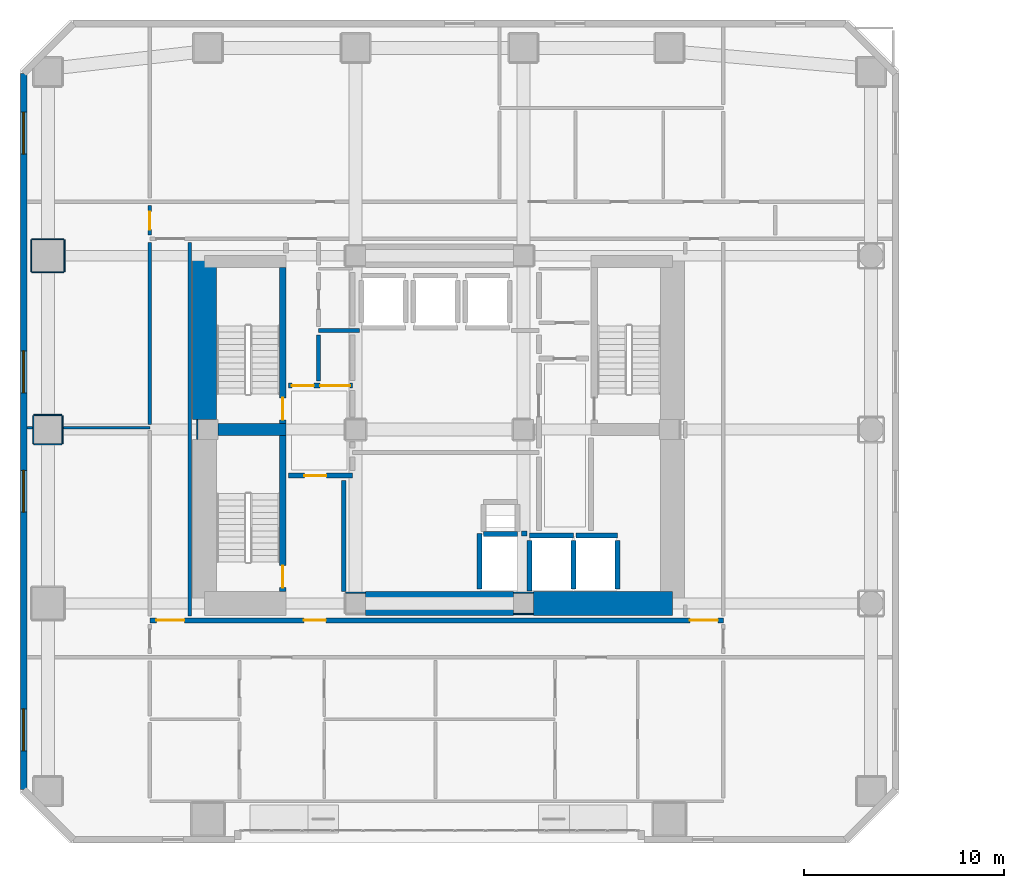
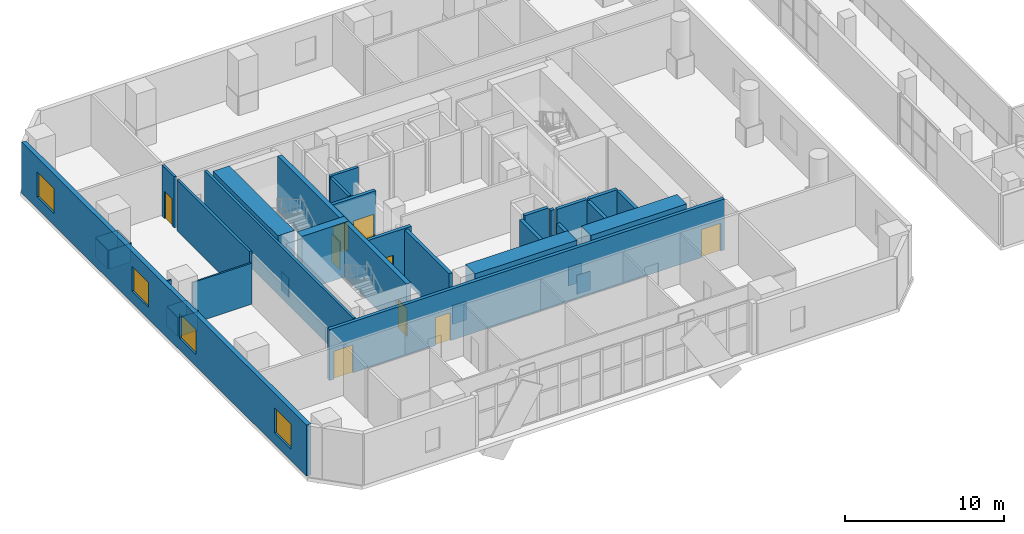
# One storey, part 12 of 20: 38 walls, 9 doors, 4 windows, 13 openings.
"""IFC4 building model written with IfcOpenShell, lengths in metres."""

from ifc_helpers import new_model, si_unit, direction, frame, frame_2d, origin, place, context, subcontext, project, spatial, rectangle, extrude, material, layer, layer_set, type_object, element, fill, save


model = new_model("IFC4")

# Units and contexts
model_context = context("Model", 3, precision=1e-05, world=origin(), true_north=direction((0.0, 1.0)))
body_context = subcontext(model_context, "Body", "Model", "MODEL_VIEW")
ifc_project = project(units=[si_unit("LENGTHUNIT", "METRE"), si_unit("AREAUNIT", "SQUARE_METRE"), si_unit("VOLUMEUNIT", "CUBIC_METRE"), si_unit("PLANEANGLEUNIT", "RADIAN"), si_unit("MASSUNIT", "GRAM", prefix="KILO")], contexts=[model_context])

# Site, building, storey
site_placement = place(None, origin())
site = spatial("IfcSite", under=ifc_project, at=site_placement, CompositionType="ELEMENT")
building_placement = place(site_placement, origin())
building = spatial("IfcBuilding", under=site, at=building_placement, Name="Solanera Arch Residences", CompositionType="ELEMENT")
storey_placement = place(building_placement, frame((0.0, 0.0, 9.39990234375)))
storey = spatial("IfcBuildingStorey", under=building, at=storey_placement, Name="L02", CompositionType="ELEMENT", Elevation=9.39990234375)

# Walls
ifc_material_1 = material(Name="Fire-Rated Gypsum Stud Partition", Category="gypsum")
ifc_layer_1 = layer(ifc_material_1, 0.06005859375)
ifc_layer_set_1 = layer_set([ifc_layer_1], Name="Fire-Rated Gypsum Stud Partition")
wall_type_1 = type_object("IfcWallType", Name="Column Acoustic Furring Wall 60", PredefinedType="PARTITIONING", material=ifc_layer_set_1)
wall_1_placement = place(storey_placement, frame((20.300048828125, 22.531982421875, 0.0), z_axis=(0.0, 0.0, 1.0), x_axis=(1.0, 0.0, 0.0)))
element("IfcWall", 1, at=wall_1_placement, inside=storey, type_object=wall_type_1, Name="L02 Column Furring 1N", PredefinedType="PARTITIONING", context=body_context, shape_type="SweptSolid", body=[
    extrude(rectangle(XDim=0.989990234375, YDim=0.06005859375, at=frame_2d((0.4951171875, 0.0))), origin(), (0.0, 0.0, 1.0), 1.4501953125),
])
for number, where, z_axis, x_axis, name in (
    (2, (28.7099609375, 21.468017578125, 0.0), (0.0, 0.0, 1.0), (1.0, 0.0, 0.0), "L02 Column Furring 2S"),
    (3, (28.7099609375, 22.531982421875, 0.0), (0.0, 0.0, 1.0), (1.0, 0.0, 0.0), "L02 Column Furring 2N"),
    (4, (12.867919921875, 30.2099609375, 0.0), (0.0, 0.0, 1.0), (0.0, 1.0, 0.0), "L02 Column Furring 5W"),
):
    element("IfcWall", number, at=place(storey_placement, frame(where, z_axis=z_axis, x_axis=x_axis)), inside=storey, type_object=wall_type_1, Name=name, PredefinedType="PARTITIONING", context=body_context, shape_type="SweptSolid", body=[
        extrude(rectangle(XDim=0.97998046875, YDim=0.06005859375, at=frame_2d((0.489990234375, 0.0))), origin(), (0.0, 0.0, 1.0), 1.4501953125),
    ])
for number, where, z_axis, x_axis, name in (
    (5, (4.699951171875, 29.968017578125, 0.0), (0.0, 0.0, 1.0), (1.0, 0.0, 0.0), "L02 Column Furring 16S"),
    (6, (4.699951171875, 31.431884765625, 0.0), (0.0, 0.0, 1.0), (1.0, 0.0, 0.0), "L02 Column Furring 16N"),
):
    element("IfcWall", number, at=place(storey_placement, frame(where, z_axis=z_axis, x_axis=x_axis)), inside=storey, type_object=wall_type_1, Name=name, PredefinedType="PARTITIONING", context=body_context, shape_type="SweptSolid", body=[
        extrude(rectangle(XDim=1.400146484375, YDim=0.06005859375, at=frame_2d((0.7001953125, 0.0))), origin(), (0.0, 0.0, 1.0), 1.4501953125),
    ])
for number, where, z_axis, x_axis, name in (
    (7, (4.66796875, 30.0, 0.0), (0.0, 0.0, 1.0), (0.0, 1.0, 0.0), "L02 Column Furring 16W"),
    (8, (6.132080078125, 30.0, 0.0), (0.0, 0.0, 1.0), (0.0, 1.0, 0.0), "L02 Column Furring 16E"),
):
    element("IfcWall", number, at=place(storey_placement, frame(where, z_axis=z_axis, x_axis=x_axis)), inside=storey, type_object=wall_type_1, Name=name, PredefinedType="PARTITIONING", context=body_context, shape_type="SweptSolid", body=[
        extrude(rectangle(XDim=1.39990234375, YDim=0.06005859375, at=frame_2d((0.699951171875, 0.0))), origin(), (0.0, 0.0, 1.0), 1.4501953125),
    ])
for number, where, z_axis, x_axis, name in (
    (9, (4.60009765625, 38.568115234375, 0.0), (0.0, 0.0, 1.0), (1.0, 0.0, 0.0), "L02 Column Furring 17S"),
    (10, (4.60009765625, 40.23193359375, 0.0), (0.0, 0.0, 1.0), (1.0, 0.0, 0.0), "L02 Column Furring 17N"),
    (11, (4.568115234375, 38.60009765625, 0.0), (0.0, 0.0, 1.0), (0.0, 1.0, 0.0), "L02 Column Furring 17W"),
    (12, (6.23193359375, 38.60009765625, 0.0), (0.0, 0.0, 1.0), (0.0, 1.0, 0.0), "L02 Column Furring 17E"),
):
    element("IfcWall", number, at=place(storey_placement, frame(where, z_axis=z_axis, x_axis=x_axis)), inside=storey, type_object=wall_type_1, Name=name, PredefinedType="PARTITIONING", context=body_context, shape_type="SweptSolid", body=[
        extrude(rectangle(XDim=1.599853515625, YDim=0.06005859375, at=frame_2d((0.7998046875, 0.0))), origin(), (0.0, 0.0, 1.0), 1.4501953125),
    ])
ifc_material_2 = material(Name="Concrete C55/67 (f'c = 60 MPa)", Category="concrete")
ifc_layer_2 = layer(ifc_material_2, 1.199951171875)
ifc_layer_set_2 = layer_set([ifc_layer_2], Name="Concrete C55/67 (f'c = 60 MPa)")
wall_type_2 = type_object("IfcWallType", Name="Core Shear Wall CW-1200", PredefinedType="SHEAR", material=ifc_layer_set_2)
wall_2_placement = place(storey_placement, frame((13.239990234375, 31.205078125, 0.0), z_axis=(0.0, 0.0, 1.0), x_axis=(0.0, 1.0, 0.0)))
element("IfcWall", 13, at=wall_2_placement, inside=storey, type_object=wall_type_2, Name="L02 West Core North Shear Wall", PredefinedType="SHEAR", context=body_context, shape_type="SweptSolid", body=[
    extrude(rectangle(XDim=8.19482421875, YDim=1.199951171875, at=frame_2d((4.097412109375, 0.0))), origin(), (0.0, 0.0, 1.0), 4.2001953125),
])
wall_3_placement = place(storey_placement, frame((29.705078125, 22.0, 0.0), z_axis=(0.0, 0.0, 1.0), x_axis=(1.0, 0.0, 0.0)))
element("IfcWall", 14, at=wall_3_placement, inside=storey, type_object=wall_type_2, Name="L02 South-East Core Shear Wall", PredefinedType="SHEAR", context=body_context, shape_type="SweptSolid", body=[
    extrude(rectangle(XDim=6.954833984375, YDim=1.199951171875, at=frame_2d((3.4775390625, 0.0))), origin(), (0.0, 0.0, 1.0), 4.2001953125),
])
wall_4_placement = place(storey_placement, frame((21.304931640625, 22.0, 0.0), z_axis=(0.0, 0.0, 1.0), x_axis=(1.0, 0.0, 0.0)))
element("IfcWall", 15, at=wall_4_placement, inside=storey, type_object=wall_type_2, Name="L02 Central South Core Shear Wall", PredefinedType="SHEAR", context=body_context, shape_type="SweptSolid", body=[
    extrude(rectangle(XDim=7.39013671875, YDim=1.199951171875, at=frame_2d((3.695068359375, 0.0))), origin(), (0.0, 0.0, 1.0), 4.2001953125),
])

# Wall, opening, door
ifc_material_3 = material(Name="Concrete C40/50 (f'c = 45 MPa)", Category="concrete")
ifc_layer_3 = layer(ifc_material_3, 0.320068359375)
ifc_layer_set_3 = layer_set([ifc_layer_3], Name="Concrete C40/50 (f'c = 45 MPa)")
wall_type_3 = type_object("IfcWallType", Name="Core Shear Wall CW-320", PredefinedType="SHEAR", material=ifc_layer_set_3)
wall_5_placement = place(storey_placement, frame((17.159912109375, 31.0, 0.0), z_axis=(0.0, 0.0, 1.0), x_axis=(0.0, 1.0, 0.0)))
wall_5 = element("IfcWall", 16, at=wall_5_placement, inside=storey, type_object=wall_type_3, Name="L02 Stair ST-T1 East Shear Wall", PredefinedType="SHEAR", context=body_context, shape_type="SweptSolid", body=[
    extrude(rectangle(XDim=7.800048828125, YDim=0.320068359375, at=frame_2d((3.89990234375, 0.0))), origin(), (0.0, 0.0, 1.0), 4.2001953125),
])
opening_1_placement = place(wall_5_placement, frame((0.18994140625, 0.0, 0.0)))
opening_1 = element("IfcOpeningElement", 17, at=opening_1_placement, cuts=wall_5, Name="Opening DF-01", PredefinedType="OPENING", context=body_context, shape_type="SweptSolid", body=[
    extrude(rectangle(XDim=1.10009765625, YDim=2.14990234375, at=frame_2d((0.550048828125, 1.074951171875))), frame((0.0, 0.169921875, 0.0), z_axis=(0.0, -1.0, 0.0), x_axis=(1.0, 0.0, 0.0)), (0.0, 0.0, 1.0), 0.3401),
])
ifc_material_4 = material(Name="Fire-Rated Architectural Hardwood", Category="wood")
door_type_1 = type_object("IfcDoorType", Name="Stair Exit Fire Door DF-01", OperationType="NOTDEFINED", PredefinedType="DOOR", material=ifc_material_4)
door_1_placement = place(opening_1_placement, origin())
door_1 = element("IfcDoor", 18, at=door_1_placement, inside=storey, type_object=door_type_1, Name="DR-L02-STAIR-ST-T1", OperationType="SINGLE_SWING_RIGHT", OverallHeight=2.14990234375, OverallWidth=1.10009765625, PredefinedType="DOOR", context=body_context, shape_type="SweptSolid", body=[
    extrude(rectangle(XDim=1.10009765625, YDim=2.14990234375, at=frame_2d((0.550048828125, 1.074951171875))), frame((0.0, 0.02490234375, 0.0), z_axis=(0.0, -1.0, 0.0), x_axis=(1.0, 0.0, 0.0)), (0.0, 0.0, 1.0), 0.050048828125),
])
fill(opening_1, door_1)

wall_6_placement = place(storey_placement, frame((17.159912109375, 22.60009765625, 0.0), z_axis=(0.0, 0.0, 1.0), x_axis=(0.0, 1.0, 0.0)))
wall_6 = element("IfcWall", 19, at=wall_6_placement, inside=storey, type_object=wall_type_3, Name="L02 Stair ST-T3 East Shear Wall", PredefinedType="SHEAR", context=body_context, shape_type="SweptSolid", body=[
    extrude(rectangle(XDim=7.7998046875, YDim=0.320068359375, at=frame_2d((3.89990234375, 0.0))), origin(), (0.0, 0.0, 1.0), 4.2001953125),
])
opening_2_placement = place(wall_6_placement, frame((0.18994140625, 0.0, 0.0)))
opening_2 = element("IfcOpeningElement", 20, at=opening_2_placement, cuts=wall_6, Name="Opening DF-01", PredefinedType="OPENING", context=body_context, shape_type="SweptSolid", body=[
    extrude(rectangle(XDim=1.10009765625, YDim=2.14990234375, at=frame_2d((0.550048828125, 1.074951171875))), frame((0.0, 0.169921875, 0.0), z_axis=(0.0, -1.0, 0.0), x_axis=(1.0, 0.0, 0.0)), (0.0, 0.0, 1.0), 0.3401),
])
door_2_placement = place(opening_2_placement, origin())
door_2 = element("IfcDoor", 21, at=door_2_placement, inside=storey, type_object=door_type_1, Name="DR-L02-STAIR-ST-T3", OperationType="SINGLE_SWING_RIGHT", OverallHeight=2.14990234375, OverallWidth=1.10009765625, PredefinedType="DOOR", context=body_context, shape_type="SweptSolid", body=[
    extrude(rectangle(XDim=1.10009765625, YDim=2.14990234375, at=frame_2d((0.550048828125, 1.074951171875))), frame((0.0, 0.02490234375, 0.0), z_axis=(0.0, -1.0, 0.0), x_axis=(1.0, 0.0, 0.0)), (0.0, 0.0, 1.0), 0.050048828125),
])
fill(opening_2, door_2)

# Walls
ifc_material_5 = material(Name="Concrete C40/50 (f'c = 45 MPa)", Category="concrete")
ifc_layer_4 = layer(ifc_material_5, 0.60009765625)
ifc_layer_set_4 = layer_set([ifc_layer_4], Name="Concrete C40/50 (f'c = 45 MPa)")
wall_type_4 = type_object("IfcWallType", Name="Core Shear Wall CW-600", PredefinedType="SHEAR", material=ifc_layer_set_4)
wall_7_placement = place(storey_placement, frame((13.905029296875, 30.699951171875, 0.0), z_axis=(0.0, 0.0, 1.0), x_axis=(1.0, 0.0, 0.0)))
element("IfcWall", 22, at=wall_7_placement, inside=storey, type_object=wall_type_4, Name="L02 West Stair Divider Shear Wall", PredefinedType="SHEAR", context=body_context, shape_type="SweptSolid", body=[
    extrude(rectangle(XDim=3.4150390625, YDim=0.60009765625, at=frame_2d((1.70751953125, 0.0))), origin(), (0.0, 0.0, 1.0), 4.2001953125),
])
ifc_material_6 = material(Name="Autoclaved Aerated Concrete Blockwork", Category="masonry")
ifc_layer_5 = layer(ifc_material_6, 0.179931640625)
ifc_layer_set_5 = layer_set([ifc_layer_5], Name="Autoclaved Aerated Concrete Blockwork")
wall_type_5 = type_object("IfcWallType", Name="Corridor Fire Partition 180", PredefinedType="PARTITIONING", material=ifc_layer_set_5)
wall_8_placement = place(storey_placement, frame((10.5, 30.9580078125, 0.0), z_axis=(0.0, 0.0, 1.0), x_axis=(0.0, 1.0, 0.0)))
element("IfcWall", 23, at=wall_8_placement, inside=storey, type_object=wall_type_5, Name="L02 Interior Partition V7 5", PredefinedType="PARTITIONING", context=body_context, shape_type="SweptSolid", body=[
    extrude(rectangle(XDim=9.10400390625, YDim=0.179931640625, at=frame_2d((4.552001953125, 0.0))), origin(), (0.0, 0.0, 1.0), 3.920166015625),
])

# Wall, opening, door
wall_9_placement = place(storey_placement, frame((10.5, 40.43798828125, 0.0), z_axis=(0.0, 0.0, 1.0), x_axis=(0.0, 1.0, 0.0)))
wall_9 = element("IfcWall", 24, at=wall_9_placement, inside=storey, type_object=wall_type_5, Name="L02 Interior Partition V7 6", PredefinedType="PARTITIONING", context=body_context, shape_type="SweptSolid", body=[
    extrude(rectangle(XDim=1.47412109375, YDim=0.179931640625, at=frame_2d((0.737060546875, 0.0))), origin(), (0.0, 0.0, 1.0), 3.920166015625),
])
opening_3_placement = place(wall_9_placement, frame((0.27294921875, 0.0, 0.0)))
opening_3 = element("IfcOpeningElement", 25, at=opening_3_placement, cuts=wall_9, Name="Opening DI-02", PredefinedType="OPENING", context=body_context, shape_type="SweptSolid", body=[
    extrude(rectangle(XDim=0.89990234375, YDim=2.10009765625, at=frame_2d((0.449951171875, 1.050048828125))), frame((0.0, 0.10009765625, 0.0), z_axis=(0.0, -1.0, 0.0), x_axis=(1.0, 0.0, 0.0)), (0.0, 0.0, 1.0), 0.1999),
])
ifc_material_7 = material(Name="Fire-Rated Architectural Hardwood", Category="wood")
door_type_2 = type_object("IfcDoorType", Name="Suite Room Swing Door DI-02", OperationType="NOTDEFINED", PredefinedType="DOOR", material=ifc_material_7)
door_3_placement = place(opening_3_placement, origin())
door_3 = element("IfcDoor", 26, at=door_3_placement, inside=storey, type_object=door_type_2, Name="DR-L02-IN-027", OperationType="SINGLE_SWING_RIGHT", OverallHeight=2.10009765625, OverallWidth=0.89990234375, PredefinedType="DOOR", context=body_context, shape_type="SweptSolid", body=[
    extrude(rectangle(XDim=0.89990234375, YDim=2.10009765625, at=frame_2d((0.449951171875, 1.050048828125))), frame((0.0, 0.02490234375, 0.0), z_axis=(0.0, -1.0, 0.0), x_axis=(1.0, 0.0, 0.0)), (0.0, 0.0, 1.0), 0.050048828125),
])
fill(opening_3, door_3)

# Wall
wall_10_placement = place(storey_placement, frame((12.5, 21.367919921875, 0.0), z_axis=(0.0, 0.0, 1.0), x_axis=(0.0, 1.0, 0.0)))
element("IfcWall", 27, at=wall_10_placement, inside=storey, type_object=wall_type_5, Name="L02 Interior Partition V8", PredefinedType="PARTITIONING", context=body_context, shape_type="SweptSolid", body=[
    extrude(rectangle(XDim=18.694091796875, YDim=0.179931640625, at=frame_2d((9.34716796875, 0.0))), origin(), (0.0, 0.0, 1.0), 3.920166015625),
])

# Wall, openings, windows
ifc_material_8 = material(Name="Precast Concrete C35/45", Category="concrete")
ifc_layer_6 = layer(ifc_material_8, 0.320068359375)
ifc_layer_set_6 = layer_set([ifc_layer_6], Name="Precast Concrete C35/45")
wall_type_6 = type_object("IfcWallType", Name="Exterior Wall Precast Masonry-Frame 320", PredefinedType="STANDARD", material=ifc_layer_set_6)
wall_11_placement = place(storey_placement, frame((4.179931640625, 12.679931640625, 0.0), z_axis=(0.0, 0.0, 1.0), x_axis=(0.0, 1.0, 0.0)))
wall_11 = element("IfcWall", 28, at=wall_11_placement, inside=storey, type_object=wall_type_6, Name="L02 Podium Precast Masonry-Frame Wall 1", PredefinedType="STANDARD", context=body_context, shape_type="SweptSolid", body=[
    extrude(rectangle(XDim=35.840087890625, YDim=0.320068359375, at=frame_2d((17.919921875, 0.0))), origin(), (0.0, 0.0, 1.0), 3.920166015625),
])
opening_4_placement = place(wall_11_placement, frame((1.93701171875, 0.0, 0.89990234375)))
opening_4 = element("IfcOpeningElement", 29, at=opening_4_placement, cuts=wall_11, Name="Opening W-04", PredefinedType="OPENING", context=body_context, shape_type="SweptSolid", body=[
    extrude(rectangle(XDim=2.10009765625, YDim=1.89990234375, at=frame_2d((1.050048828125, 0.949951171875))), frame((0.0, 0.169921875, 0.0), z_axis=(0.0, -1.0, 0.0), x_axis=(1.0, 0.0, 0.0)), (0.0, 0.0, 1.0), 0.3401),
])
opening_5_placement = place(wall_11_placement, frame((13.883056640625, 0.0, 0.89990234375)))
opening_5 = element("IfcOpeningElement", 30, at=opening_5_placement, cuts=wall_11, Name="Opening W-04", PredefinedType="OPENING", context=body_context, shape_type="SweptSolid", body=[
    extrude(rectangle(XDim=2.10009765625, YDim=1.89990234375, at=frame_2d((1.050048828125, 0.949951171875))), frame((0.0, 0.169921875, 0.0), z_axis=(0.0, -1.0, 0.0), x_axis=(1.0, 0.0, 0.0)), (0.0, 0.0, 1.0), 0.3401),
])
opening_6_placement = place(wall_11_placement, frame((19.85693359375, 0.0, 0.89990234375)))
opening_6 = element("IfcOpeningElement", 31, at=opening_6_placement, cuts=wall_11, Name="Opening W-04", PredefinedType="OPENING", context=body_context, shape_type="SweptSolid", body=[
    extrude(rectangle(XDim=2.10009765625, YDim=1.89990234375, at=frame_2d((1.050048828125, 0.949951171875))), frame((0.0, 0.169921875, 0.0), z_axis=(0.0, -1.0, 0.0), x_axis=(1.0, 0.0, 0.0)), (0.0, 0.0, 1.0), 0.3401),
])
opening_7_placement = place(wall_11_placement, frame((31.802978515625, 0.0, 0.89990234375)))
opening_7 = element("IfcOpeningElement", 32, at=opening_7_placement, cuts=wall_11, Name="Opening W-04", PredefinedType="OPENING", context=body_context, shape_type="SweptSolid", body=[
    extrude(rectangle(XDim=2.10009765625, YDim=1.89990234375, at=frame_2d((1.050048828125, 0.949951171875))), frame((0.0, 0.169921875, 0.0), z_axis=(0.0, -1.0, 0.0), x_axis=(1.0, 0.0, 0.0)), (0.0, 0.0, 1.0), 0.3401),
])
ifc_material_9 = material(Name="Double Glazed Low-E Laminated Glass", Category="glass")
window_type = type_object("IfcWindowType", Name="Punched Window W-04", PartitioningType="DOUBLE_PANEL_VERTICAL", PredefinedType="WINDOW", material=ifc_material_9)
window_1_placement = place(opening_4_placement, origin())
window_1 = element("IfcWindow", 33, at=window_1_placement, inside=storey, type_object=window_type, Name="L02 Podium Window 1.1", OverallHeight=1.89990234375, OverallWidth=2.10009765625, PartitioningType="SINGLE_PANEL", PredefinedType="WINDOW", context=body_context, shape_type="SweptSolid", body=[
    extrude(rectangle(XDim=2.10009765625, YDim=1.89990234375, at=frame_2d((1.050048828125, 0.949951171875))), frame((0.0, 0.030029296875, 0.0), z_axis=(0.0, -1.0, 0.0), x_axis=(1.0, 0.0, 0.0)), (0.0, 0.0, 1.0), 0.06005859375),
])
fill(opening_4, window_1)
window_2_placement = place(opening_5_placement, origin())
window_2 = element("IfcWindow", 34, at=window_2_placement, inside=storey, type_object=window_type, Name="L02 Podium Window 1.3", OverallHeight=1.89990234375, OverallWidth=2.10009765625, PartitioningType="SINGLE_PANEL", PredefinedType="WINDOW", context=body_context, shape_type="SweptSolid", body=[
    extrude(rectangle(XDim=2.10009765625, YDim=1.89990234375, at=frame_2d((1.050048828125, 0.949951171875))), frame((0.0, 0.030029296875, 0.0), z_axis=(0.0, -1.0, 0.0), x_axis=(1.0, 0.0, 0.0)), (0.0, 0.0, 1.0), 0.06005859375),
])
fill(opening_5, window_2)
window_3_placement = place(opening_6_placement, origin())
window_3 = element("IfcWindow", 35, at=window_3_placement, inside=storey, type_object=window_type, Name="L02 Podium Window 1.4", OverallHeight=1.89990234375, OverallWidth=2.10009765625, PartitioningType="SINGLE_PANEL", PredefinedType="WINDOW", context=body_context, shape_type="SweptSolid", body=[
    extrude(rectangle(XDim=2.10009765625, YDim=1.89990234375, at=frame_2d((1.050048828125, 0.949951171875))), frame((0.0, 0.030029296875, 0.0), z_axis=(0.0, -1.0, 0.0), x_axis=(1.0, 0.0, 0.0)), (0.0, 0.0, 1.0), 0.06005859375),
])
fill(opening_6, window_3)
window_4_placement = place(opening_7_placement, origin())
window_4 = element("IfcWindow", 36, at=window_4_placement, inside=storey, type_object=window_type, Name="L02 Podium Window 1.6", OverallHeight=1.89990234375, OverallWidth=2.10009765625, PartitioningType="SINGLE_PANEL", PredefinedType="WINDOW", context=body_context, shape_type="SweptSolid", body=[
    extrude(rectangle(XDim=2.10009765625, YDim=1.89990234375, at=frame_2d((1.050048828125, 0.949951171875))), frame((0.0, 0.030029296875, 0.0), z_axis=(0.0, -1.0, 0.0), x_axis=(1.0, 0.0, 0.0)), (0.0, 0.0, 1.0), 0.06005859375),
])
fill(opening_7, window_4)

# Walls
ifc_material_10 = material(Name="Autoclaved Aerated Concrete Blockwork", Category="masonry")
ifc_layer_7 = layer(ifc_material_10, 0.199951171875)
ifc_layer_set_7 = layer_set([ifc_layer_7], Name="Autoclaved Aerated Concrete Blockwork")
wall_type_7 = type_object("IfcWallType", Name="Party Wall Acoustic 200", PredefinedType="PARTITIONING", material=ifc_layer_set_7)
wall_12_placement = place(storey_placement, frame((18.949951171875, 35.64990234375, 0.0), z_axis=(0.0, 0.0, 1.0), x_axis=(1.0, 0.0, 0.0)))
element("IfcWall", 37, at=wall_12_placement, inside=storey, type_object=wall_type_7, Name="L02 Interior Partition H6 1", PredefinedType="PARTITIONING", context=body_context, shape_type="SweptSolid", body=[
    extrude(rectangle(XDim=2.046142578125, YDim=0.199951171875, at=frame_2d((1.02294921875, 0.0))), origin(), (0.0, 0.0, 1.0), 3.920166015625),
])
wall_13_placement = place(storey_placement, frame((18.949951171875, 33.1279296875, 0.0), z_axis=(0.0, 0.0, 1.0), x_axis=(0.0, 1.0, 0.0)))
element("IfcWall", 38, at=wall_13_placement, inside=storey, type_object=wall_type_7, Name="L02 Interior Partition V6 1", PredefinedType="PARTITIONING", context=body_context, shape_type="SweptSolid", body=[
    extrude(rectangle(XDim=2.31396484375, YDim=0.199951171875, at=frame_2d((1.156982421875, 0.0))), origin(), (0.0, 0.0, 1.0), 3.920166015625),
])
ifc_material_11 = material(Name="Concrete C40/50 (f'c = 45 MPa)", Category="concrete")
ifc_layer_8 = layer(ifc_material_11, 0.239990234375)
ifc_layer_set_8 = layer_set([ifc_layer_8], Name="Concrete C40/50 (f'c = 45 MPa)")
wall_type_8 = type_object("IfcWallType", Name="Ramp Bearing Shear Wall RW-240", PredefinedType="SHEAR", material=ifc_layer_set_8)
wall_14_placement = place(storey_placement, frame((27.199951171875, 25.47998046875, 0.0), z_axis=(0.0, 0.0, 1.0), x_axis=(1.0, 0.0, 0.0)))
element("IfcWall", 39, at=wall_14_placement, inside=storey, type_object=wall_type_8, Name="L02 Core MEP Riser South Shaft Wall", PredefinedType="SHEAR", context=body_context, shape_type="SweptSolid", body=[
    extrude(rectangle(XDim=1.699951171875, YDim=0.239990234375, at=frame_2d((0.85009765625, 0.0))), origin(), (0.0, 0.0, 1.0), 4.2001953125),
])
ifc_material_12 = material(Name="Autoclaved Aerated Concrete Blockwork", Category="masonry")
ifc_layer_9 = layer(ifc_material_12, 0.239990234375)
ifc_layer_set_9 = layer_set([ifc_layer_9], Name="Autoclaved Aerated Concrete Blockwork")
wall_type_9 = type_object("IfcWallType", Name="Shaft Wall Fire-Rated 240", PredefinedType="PARTITIONING", material=ifc_layer_set_9)
wall_15_placement = place(storey_placement, frame((29.5, 25.39990234375, 0.0), z_axis=(0.0, 0.0, 1.0), x_axis=(1.0, 0.0, 0.0)))
element("IfcWall", 40, at=wall_15_placement, inside=storey, type_object=wall_type_9, Name="L02 Lift FFL-1 Hoistway Wall N", PredefinedType="PARTITIONING", context=body_context, shape_type="SweptSolid", body=[
    extrude(rectangle(XDim=2.199951171875, YDim=0.239990234375, at=frame_2d((1.10009765625, 0.0))), origin(), (0.0, 0.0, 1.0), 3.920166015625),
])
wall_16_placement = place(storey_placement, frame((29.5, 22.632080078125, 0.0), z_axis=(0.0, 0.0, 1.0), x_axis=(0.0, 1.0, 0.0)))
element("IfcWall", 41, at=wall_16_placement, inside=storey, type_object=wall_type_9, Name="L02 Lift FFL-1 Hoistway Wall W", PredefinedType="PARTITIONING", context=body_context, shape_type="SweptSolid", body=[
    extrude(rectangle(XDim=2.52001953125, YDim=0.239990234375, at=frame_2d((1.260009765625, 0.0))), origin(), (0.0, 0.0, 1.0), 2.955078125),
])
wall_17_placement = place(storey_placement, frame((31.699951171875, 22.72998046875, 0.0), z_axis=(0.0, 0.0, 1.0), x_axis=(0.0, 1.0, 0.0)))
element("IfcWall", 42, at=wall_17_placement, inside=storey, type_object=wall_type_9, Name="L02 Lift FFL-1 Hoistway Wall E", PredefinedType="PARTITIONING", context=body_context, shape_type="SweptSolid", body=[
    extrude(rectangle(XDim=2.422119140625, YDim=0.239990234375, at=frame_2d((1.2109375, 0.0))), origin(), (0.0, 0.0, 1.0), 3.920166015625),
])
wall_18_placement = place(storey_placement, frame((31.827880859375, 25.39990234375, 0.0), z_axis=(0.0, 0.0, 1.0), x_axis=(1.0, 0.0, 0.0)))
element("IfcWall", 43, at=wall_18_placement, inside=storey, type_object=wall_type_9, Name="L02 Lift FFL-2 Hoistway Wall N", PredefinedType="PARTITIONING", context=body_context, shape_type="SweptSolid", body=[
    extrude(rectangle(XDim=2.072021484375, YDim=0.239990234375, at=frame_2d((1.0361328125, 0.0))), origin(), (0.0, 0.0, 1.0), 3.920166015625),
])
wall_19_placement = place(storey_placement, frame((33.89990234375, 22.72998046875, 0.0), z_axis=(0.0, 0.0, 1.0), x_axis=(0.0, 1.0, 0.0)))
element("IfcWall", 44, at=wall_19_placement, inside=storey, type_object=wall_type_9, Name="L02 Lift FFL-2 Hoistway Wall E", PredefinedType="PARTITIONING", context=body_context, shape_type="SweptSolid", body=[
    extrude(rectangle(XDim=2.422119140625, YDim=0.239990234375, at=frame_2d((1.2109375, 0.0))), origin(), (0.0, 0.0, 1.0), 3.920166015625),
])
wall_20_placement = place(storey_placement, frame((29.10302734375, 25.5, 0.0), z_axis=(0.0, 0.0, 1.0), x_axis=(1.0, 0.0, 0.0)))
element("IfcWall", 45, at=wall_20_placement, inside=storey, type_object=wall_type_9, Name="L02 Lift SVL-1 Hoistway Wall N", PredefinedType="PARTITIONING", context=body_context, shape_type="SweptSolid", body=[
    extrude(rectangle(XDim=0.26904296875, YDim=0.239990234375, at=frame_2d((0.134521484375, 0.0))), origin(), (0.0, 0.0, 1.0), 3.920166015625),
])
wall_21_placement = place(storey_placement, frame((27.0, 22.72998046875, 0.0), z_axis=(0.0, 0.0, 1.0), x_axis=(0.0, 1.0, 0.0)))
element("IfcWall", 46, at=wall_21_placement, inside=storey, type_object=wall_type_9, Name="L02 Lift SVL-1 Hoistway Wall W", PredefinedType="PARTITIONING", context=body_context, shape_type="SweptSolid", body=[
    extrude(rectangle(XDim=2.76806640625, YDim=0.239990234375, at=frame_2d((1.384033203125, 0.0))), origin(), (0.0, 0.0, 1.0), 3.920166015625),
])

# Wall, openings, doors
wall_22_placement = place(storey_placement, frame((10.5, 21.14990234375, 0.0), z_axis=(0.0, 0.0, 1.0), x_axis=(1.0, 0.0, 0.0)))
wall_22 = element("IfcWall", 47, at=wall_22_placement, inside=storey, type_object=wall_type_9, Name="L02 Interior Partition H1", PredefinedType="PARTITIONING", context=body_context, shape_type="SweptSolid", body=[
    extrude(rectangle(XDim=28.699951171875, YDim=0.239990234375, at=frame_2d((14.35009765625, 0.0))), origin(), (0.0, 0.0, 1.0), 3.920166015625),
])
opening_8_placement = place(wall_22_placement, frame((7.7099609375, 0.0, 0.0)))
opening_8 = element("IfcOpeningElement", 48, at=opening_8_placement, cuts=wall_22, Name="Opening DF-02", PredefinedType="OPENING", context=body_context, shape_type="SweptSolid", body=[
    extrude(rectangle(XDim=1.10009765625, YDim=2.14990234375, at=frame_2d((0.550048828125, 1.074951171875))), frame((0.0, 0.1298828125, 0.0), z_axis=(0.0, -1.0, 0.0), x_axis=(1.0, 0.0, 0.0)), (0.0, 0.0, 1.0), 0.26),
])
opening_9_placement = place(wall_22_placement, frame((0.323974609375, 0.0, 0.0)))
opening_9 = element("IfcOpeningElement", 49, at=opening_9_placement, cuts=wall_22, Name="Opening DF-03", PredefinedType="OPENING", context=body_context, shape_type="SweptSolid", body=[
    extrude(rectangle(XDim=1.39990234375, YDim=2.14990234375, at=frame_2d((0.699951171875, 1.074951171875))), frame((0.0, 0.1298828125, 0.0), z_axis=(0.0, -1.0, 0.0), x_axis=(1.0, 0.0, 0.0)), (0.0, 0.0, 1.0), 0.26),
])
opening_10_placement = place(wall_22_placement, frame((27.02587890625, 0.0, 0.0)))
opening_10 = element("IfcOpeningElement", 50, at=opening_10_placement, cuts=wall_22, Name="Opening DF-03", PredefinedType="OPENING", context=body_context, shape_type="SweptSolid", body=[
    extrude(rectangle(XDim=1.39990234375, YDim=2.14990234375, at=frame_2d((0.699951171875, 1.074951171875))), frame((0.0, 0.1298828125, 0.0), z_axis=(0.0, -1.0, 0.0), x_axis=(1.0, 0.0, 0.0)), (0.0, 0.0, 1.0), 0.26),
])
ifc_material_13 = material(Name="Fire-Rated Architectural Hardwood", Category="wood")
door_type_3 = type_object("IfcDoorType", Name="Corridor Smoke Door DF-03", OperationType="NOTDEFINED", PredefinedType="DOOR", material=ifc_material_13)
door_4_placement = place(opening_9_placement, origin())
door_4 = element("IfcDoor", 51, at=door_4_placement, inside=storey, type_object=door_type_3, Name="DR-L02-IN-014", OperationType="SINGLE_SWING_LEFT", OverallHeight=2.14990234375, OverallWidth=1.39990234375, PredefinedType="DOOR", context=body_context, shape_type="SweptSolid", body=[
    extrude(rectangle(XDim=1.39990234375, YDim=2.14990234375, at=frame_2d((0.699951171875, 1.074951171875))), frame((0.0, 0.02490234375, 0.0), z_axis=(0.0, -1.0, 0.0), x_axis=(1.0, 0.0, 0.0)), (0.0, 0.0, 1.0), 0.050048828125),
])
fill(opening_9, door_4)
door_5_placement = place(opening_10_placement, origin())
door_5 = element("IfcDoor", 52, at=door_5_placement, inside=storey, type_object=door_type_3, Name="DR-L02-IN-015", OperationType="SINGLE_SWING_RIGHT", OverallHeight=2.14990234375, OverallWidth=1.39990234375, PredefinedType="DOOR", context=body_context, shape_type="SweptSolid", body=[
    extrude(rectangle(XDim=1.39990234375, YDim=2.14990234375, at=frame_2d((0.699951171875, 1.074951171875))), frame((0.0, 0.02490234375, 0.0), z_axis=(0.0, -1.0, 0.0), x_axis=(1.0, 0.0, 0.0)), (0.0, 0.0, 1.0), 0.050048828125),
])
fill(opening_10, door_5)
ifc_material_14 = material(Name="Fire-Rated Architectural Hardwood", Category="wood")
door_type_4 = type_object("IfcDoorType", Name="Firefighting Lobby Fire Door DF-02", OperationType="NOTDEFINED", PredefinedType="DOOR", material=ifc_material_14)
door_6_placement = place(opening_8_placement, origin())
door_6 = element("IfcDoor", 53, at=door_6_placement, inside=storey, type_object=door_type_4, Name="DR-L02-IN-012", OperationType="SINGLE_SWING_LEFT", OverallHeight=2.14990234375, OverallWidth=1.10009765625, PredefinedType="DOOR", context=body_context, shape_type="SweptSolid", body=[
    extrude(rectangle(XDim=1.10009765625, YDim=2.14990234375, at=frame_2d((0.550048828125, 1.074951171875))), frame((0.0, 0.02490234375, 0.0), z_axis=(0.0, -1.0, 0.0), x_axis=(1.0, 0.0, 0.0)), (0.0, 0.0, 1.0), 0.050048828125),
])
fill(opening_8, door_6)

# Wall, opening, door
wall_23_placement = place(storey_placement, frame((17.449951171875, 28.39990234375, 0.0), z_axis=(0.0, 0.0, 1.0), x_axis=(1.0, 0.0, 0.0)))
wall_23 = element("IfcWall", 54, at=wall_23_placement, inside=storey, type_object=wall_type_9, Name="L02 Interior Partition H3", PredefinedType="PARTITIONING", context=body_context, shape_type="SweptSolid", body=[
    extrude(rectangle(XDim=3.199951171875, YDim=0.239990234375, at=frame_2d((1.60009765625, 0.0))), origin(), (0.0, 0.0, 1.0), 3.920166015625),
])
opening_11_placement = place(wall_23_placement, frame((0.783935546875, 0.0, 0.0)))
opening_11 = element("IfcOpeningElement", 55, at=opening_11_placement, cuts=wall_23, Name="Opening DF-02", PredefinedType="OPENING", context=body_context, shape_type="SweptSolid", body=[
    extrude(rectangle(XDim=1.10009765625, YDim=2.14990234375, at=frame_2d((0.550048828125, 1.074951171875))), frame((0.0, 0.1298828125, 0.0), z_axis=(0.0, -1.0, 0.0), x_axis=(1.0, 0.0, 0.0)), (0.0, 0.0, 1.0), 0.26),
])
door_7_placement = place(opening_11_placement, origin())
door_7 = element("IfcDoor", 56, at=door_7_placement, inside=storey, type_object=door_type_4, Name="DR-L02-IN-008", OperationType="SINGLE_SWING_LEFT", OverallHeight=2.14990234375, OverallWidth=1.10009765625, PredefinedType="DOOR", context=body_context, shape_type="SweptSolid", body=[
    extrude(rectangle(XDim=1.10009765625, YDim=2.14990234375, at=frame_2d((0.550048828125, 1.074951171875))), frame((0.0, 0.02490234375, 0.0), z_axis=(0.0, -1.0, 0.0), x_axis=(1.0, 0.0, 0.0)), (0.0, 0.0, 1.0), 0.050048828125),
])
fill(opening_11, door_7)

# Wall, openings, doors
wall_24_placement = place(storey_placement, frame((17.449951171875, 32.89990234375, 0.0), z_axis=(0.0, 0.0, 1.0), x_axis=(1.0, 0.0, 0.0)))
wall_24 = element("IfcWall", 57, at=wall_24_placement, inside=storey, type_object=wall_type_9, Name="L02 Interior Partition H4", PredefinedType="PARTITIONING", context=body_context, shape_type="SweptSolid", body=[
    extrude(rectangle(XDim=3.199951171875, YDim=0.239990234375, at=frame_2d((1.60009765625, 0.0))), origin(), (0.0, 0.0, 1.0), 3.920166015625),
])
opening_12_placement = place(wall_24_placement, frame((0.158935546875, 0.0, 0.0)))
opening_12 = element("IfcOpeningElement", 58, at=opening_12_placement, cuts=wall_24, Name="Opening DF-02", PredefinedType="OPENING", context=body_context, shape_type="SweptSolid", body=[
    extrude(rectangle(XDim=1.10009765625, YDim=2.14990234375, at=frame_2d((0.550048828125, 1.074951171875))), frame((0.0, 0.1298828125, 0.0), z_axis=(0.0, -1.0, 0.0), x_axis=(1.0, 0.0, 0.0)), (0.0, 0.0, 1.0), 0.26),
])
opening_13_placement = place(wall_24_placement, frame((1.575927734375, 0.0, 0.0)))
opening_13 = element("IfcOpeningElement", 59, at=opening_13_placement, cuts=wall_24, Name="Opening DP-01", PredefinedType="OPENING", context=body_context, shape_type="SweptSolid", body=[
    extrude(rectangle(XDim=1.5, YDim=2.14990234375, at=frame_2d((0.75, 1.074951171875))), frame((0.0, 0.1298828125, 0.0), z_axis=(0.0, -1.0, 0.0), x_axis=(1.0, 0.0, 0.0)), (0.0, 0.0, 1.0), 0.26),
])
door_8_placement = place(opening_12_placement, origin())
door_8 = element("IfcDoor", 60, at=door_8_placement, inside=storey, type_object=door_type_4, Name="DR-L02-IN-009", OperationType="SINGLE_SWING_RIGHT", OverallHeight=2.14990234375, OverallWidth=1.10009765625, PredefinedType="DOOR", context=body_context, shape_type="SweptSolid", body=[
    extrude(rectangle(XDim=1.10009765625, YDim=2.14990234375, at=frame_2d((0.550048828125, 1.074951171875))), frame((0.0, 0.02490234375, 0.0), z_axis=(0.0, -1.0, 0.0), x_axis=(1.0, 0.0, 0.0)), (0.0, 0.0, 1.0), 0.050048828125),
])
fill(opening_12, door_8)
ifc_material_15 = material(Name="Fire-Rated Architectural Hardwood", Category="wood")
door_type_5 = type_object("IfcDoorType", Name="Plant Double Fire Door DP-01", OperationType="NOTDEFINED", PredefinedType="DOOR", material=ifc_material_15)
door_9_placement = place(opening_13_placement, origin())
door_9 = element("IfcDoor", 61, at=door_9_placement, inside=storey, type_object=door_type_5, Name="DR-L02-IN-023", OperationType="SINGLE_SWING_RIGHT", OverallHeight=2.14990234375, OverallWidth=1.5, PredefinedType="DOOR", context=body_context, shape_type="SweptSolid", body=[
    extrude(rectangle(XDim=1.5, YDim=2.14990234375, at=frame_2d((0.75, 1.074951171875))), frame((0.0, 0.02490234375, 0.0), z_axis=(0.0, -1.0, 0.0), x_axis=(1.0, 0.0, 0.0)), (0.0, 0.0, 1.0), 0.050048828125),
])
fill(opening_13, door_9)

# Walls
wall_25_placement = place(storey_placement, frame((20.199951171875, 22.5859375, 0.0), z_axis=(0.0, 0.0, 1.0), x_axis=(0.0, 1.0, 0.0)))
element("IfcWall", 62, at=wall_25_placement, inside=storey, type_object=wall_type_9, Name="L02 Interior Partition V2", PredefinedType="PARTITIONING", context=body_context, shape_type="SweptSolid", body=[
    extrude(rectangle(XDim=5.566162109375, YDim=0.239990234375, at=frame_2d((2.783203125, 0.0))), origin(), (0.0, 0.0, 1.0), 3.920166015625),
])
ifc_material_16 = material(Name="Fire-Rated Gypsum Stud Partition", Category="gypsum")
ifc_layer_10 = layer(ifc_material_16, 0.1201171875)
ifc_layer_set_10 = layer_set([ifc_layer_10], Name="Fire-Rated Gypsum Stud Partition")
wall_type_10 = type_object("IfcWallType", Name="Unit Drywall Partition 120", PredefinedType="PARTITIONING", material=ifc_layer_set_10)
wall_26_placement = place(storey_placement, frame((4.35205078125, 30.800048828125, 0.0), z_axis=(0.0, 0.0, 1.0), x_axis=(1.0, 0.0, 0.0)))
element("IfcWall", 63, at=wall_26_placement, inside=storey, type_object=wall_type_10, Name="L02 Interior Partition H24 1", PredefinedType="PARTITIONING", context=body_context, shape_type="SweptSolid", body=[
    extrude(rectangle(XDim=0.27587890625, YDim=0.1201171875, at=frame_2d((0.137939453125, 0.0))), origin(), (0.0, 0.0, 1.0), 3.920166015625),
])
wall_27_placement = place(storey_placement, frame((6.172119140625, 30.800048828125, 0.0), z_axis=(0.0, 0.0, 1.0), x_axis=(1.0, 0.0, 0.0)))
element("IfcWall", 64, at=wall_27_placement, inside=storey, type_object=wall_type_10, Name="L02 Interior Partition H24 2", PredefinedType="PARTITIONING", context=body_context, shape_type="SweptSolid", body=[
    extrude(rectangle(XDim=4.327880859375, YDim=0.1201171875, at=frame_2d((2.1640625, 0.0))), origin(), (0.0, 0.0, 1.0), 3.155029296875),
])

save(model, "model.ifc")
